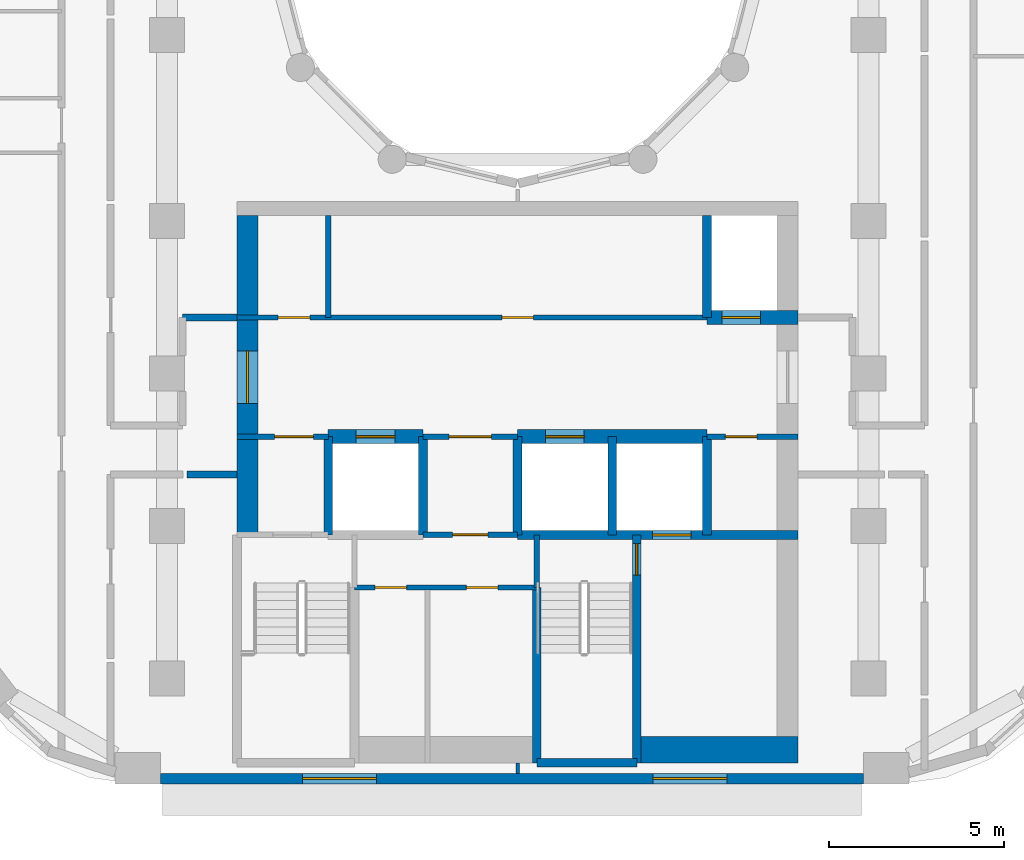
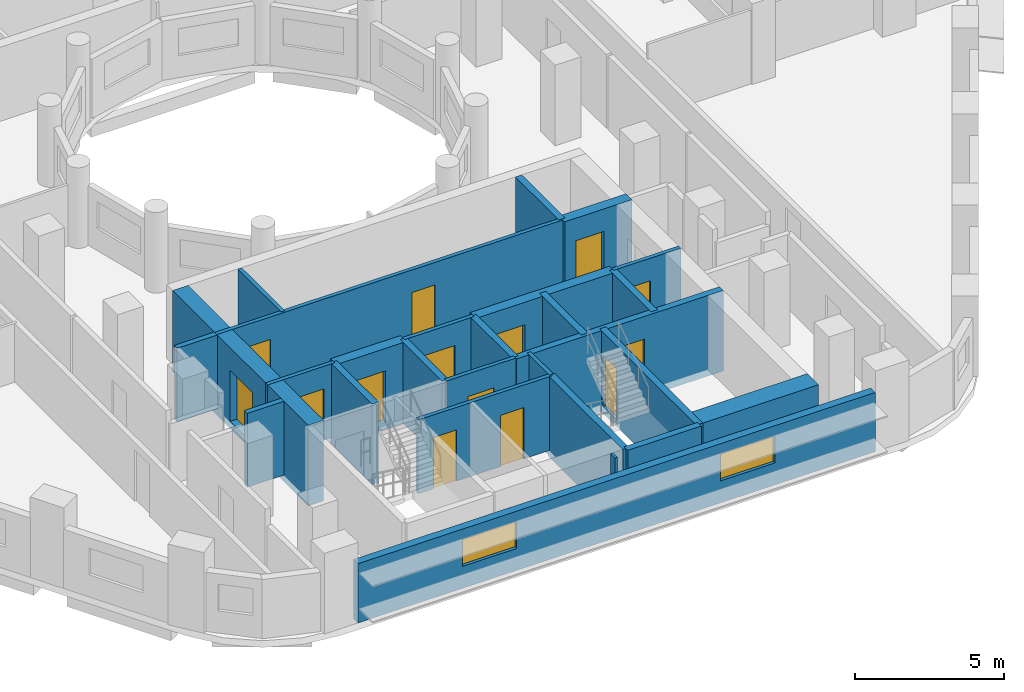
# One storey, part 3 of 13: 27 walls, 14 doors, 2 windows, 16 openings.
"""IFC4 building model written with IfcOpenShell, lengths in metres."""

import ifcopenshell
import ifcopenshell.guid

model = None  # the IFC model being written
_history = None  # IfcOwnerHistory: only IFC2X3 demands one
_inside = {}  # id of a spatial element -> (the spatial element, [elements in it])
_under = {}  # id of a project, library or spatial element -> (it, [spatial elements below it])
_declared = {}  # id of a project -> (the project, [libraries it declares])
_typed = {}  # id of a type object -> (the type object, [elements of that type])
_made_of = {}  # id of a material, layer set ... -> (it, [elements and type objects made of it])


def new_model(schema):
    """Start an empty IFC model of exactly this schema.

    Asked for "IFC4X3", IfcOpenShell would pick the latest addendum, in which some entities
    have other attributes; the version numbers below select the first issue.
    IFC2X3 requires an IfcOwnerHistory on every rooted entity: one is made here for all.
    """
    global model, _history
    if schema == "IFC4X3":
        model = ifcopenshell.file(schema_version=(4, 3, 0, 0))
    else:
        model = ifcopenshell.file(schema=schema)
    _inside.clear()
    _under.clear()
    _declared.clear()
    _typed.clear()
    _made_of.clear()
    _history = None
    if model.schema == "IFC2X3":
        org = make("IfcOrganization", Name="unknown")
        user = make(
            "IfcPersonAndOrganization",
            ThePerson=make("IfcPerson", FamilyName="unknown"),
            TheOrganization=org,
        )
        app = make(
            "IfcApplication",
            ApplicationDeveloper=org,
            Version="unknown",
            ApplicationFullName="unknown",
            ApplicationIdentifier="unknown",
        )
        _history = make(
            "IfcOwnerHistory",
            OwningUser=user,
            OwningApplication=app,
            ChangeAction="ADDED",
            CreationDate=0,
        )
    return model


def make(cls, **values):
    """One entity of the class cls with the attributes given. An attribute that is None is left unset."""
    return model.create_entity(
        cls, **{name: value for name, value in values.items() if value is not None}
    )


def rooted(cls, **values):
    """An entity with a GlobalId (a new one), such as an element, a storey or a relation."""
    return make(cls, GlobalId=ifcopenshell.guid.new(), OwnerHistory=_history, **values)


def si_unit(unit_type, name, prefix=None):
    """IfcSIUnit, for example si_unit("LENGTHUNIT", "METRE", prefix="MILLI")."""
    return make("IfcSIUnit", UnitType=unit_type, Prefix=prefix, Name=name)


def assignment(units):
    """IfcUnitAssignment: the units of a project."""
    return None if units is None else make("IfcUnitAssignment", Units=units)


def point(xyz):
    """IfcCartesianPoint."""
    return None if xyz is None else make("IfcCartesianPoint", Coordinates=xyz)


def direction(xyz):
    """IfcDirection."""
    return None if xyz is None else make("IfcDirection", DirectionRatios=xyz)


def frame(location, z_axis=None, x_axis=None):
    """IfcAxis2Placement3D, a coordinate frame: its origin and axes. An axis left out is left unset."""
    return make(
        "IfcAxis2Placement3D",
        Location=point(location),
        Axis=direction(z_axis),
        RefDirection=direction(x_axis),
    )


def frame_2d(location, x_axis=None):
    """IfcAxis2Placement2D, a coordinate frame in the plane: its origin and x axis."""
    return make(
        "IfcAxis2Placement2D", Location=point(location), RefDirection=direction(x_axis)
    )


def origin():
    """The frame at (0, 0, 0) with its axes left unset."""
    return frame((0.0, 0.0, 0.0))


def place(relative_to, where):
    """IfcLocalPlacement: puts the frame where relative to a parent placement (None: the world)."""
    return make(
        "IfcLocalPlacement", PlacementRelTo=relative_to, RelativePlacement=where
    )


def context(
    kind, dimensions, precision=None, world=None, true_north=None, identifier=None
):
    """IfcGeometricRepresentationContext, for example the 3D "Model" context."""
    return make(
        "IfcGeometricRepresentationContext",
        ContextIdentifier=identifier,
        ContextType=kind,
        CoordinateSpaceDimension=dimensions,
        Precision=precision,
        WorldCoordinateSystem=world,
        TrueNorth=true_north,
    )


def subcontext(parent, identifier, kind, view, scale=None):
    """IfcGeometricRepresentationSubContext, for example "Body" below "Model"."""
    return make(
        "IfcGeometricRepresentationSubContext",
        ContextIdentifier=identifier,
        ContextType=kind,
        ParentContext=parent,
        TargetScale=scale,
        TargetView=view,
    )


def project(units=None, contexts=None):
    """IfcProject with its units and contexts."""
    return rooted(
        "IfcProject",
        Name="project",
        RepresentationContexts=contexts,
        UnitsInContext=assignment(units),
    )


def spatial(cls, under=None, at=None, **own):
    """A site, building, storey or space (cls), placed at a placement, below another one or the project."""
    s = rooted(cls, ObjectPlacement=at, **own)
    if under is not None:
        _under.setdefault(under.id(), (under, []))[1].append(s)
    return s


def profile(cls, at=None, kind="AREA", **sizes):
    """A parametric profile (cls). Its sizes go by their IFC names, for example OverallWidth=200.0."""
    return make(cls, ProfileType=kind, Position=at, **sizes)


def rectangle(**sizes):
    """IfcRectangleProfileDef."""
    return profile("IfcRectangleProfileDef", **sizes)


def extrude(swept, where, along, depth):
    """IfcExtrudedAreaSolid: the profile swept, set in the frame where, extruded along a direction by depth."""
    return make(
        "IfcExtrudedAreaSolid",
        SweptArea=swept,
        Position=where,
        ExtrudedDirection=direction(along),
        Depth=depth,
    )


def shape(context_of_items, identifier, shape_type, items):
    """IfcShapeRepresentation: the items that make up one representation, for example the "Body"."""
    return make(
        "IfcShapeRepresentation",
        ContextOfItems=context_of_items,
        RepresentationIdentifier=identifier,
        RepresentationType=shape_type,
        Items=items,
    )


def material(Name=None, Category=None):
    """IfcMaterial."""
    return make("IfcMaterial", Name=Name, Category=Category)


def layer(
    of_material, thickness, ventilated=None, Name=None, Category=None, Priority=None
):
    """IfcMaterialLayer: one layer of a wall or slab, of a material (None: an air gap)."""
    return make(
        "IfcMaterialLayer",
        Material=of_material,
        LayerThickness=thickness,
        IsVentilated=ventilated,
        Name=Name,
        Category=Category,
        Priority=Priority,
    )


def layer_set(layers, Name=None):
    """IfcMaterialLayerSet."""
    return make("IfcMaterialLayerSet", MaterialLayers=layers, LayerSetName=Name)


def made_of(thing, what):
    """Note that an element or type object is made of a material, layer set ...; save() writes the relation."""
    if what is not None:
        _made_of.setdefault(what.id(), (what, []))[1].append(thing)
    return thing


def type_object(cls, material=None, **own):
    """A type object (cls), such as IfcWallType, which elements share."""
    return made_of(rooted(cls, **own), material)


def element(
    cls,
    number,
    at=None,
    inside=None,
    cuts=None,
    type_object=None,
    material=None,
    context=None,
    identifier="Body",
    shape_type=None,
    held_by="IfcProductDefinitionShape",
    body=None,
    shapes=None,
    **own,
):
    """One element of the class cls, such as IfcWall. Its Tag is "e" and its number.

    at: its placement. inside: the storey or other place that contains it. cuts: it is an
    opening in that element (IfcRelVoidsElement). A single representation is given by context,
    identifier, shape_type and body (its items); several are given by shapes. held_by: the class
    of the entity that holds the representations. save() writes the other relations.
    """
    e = rooted(cls, Tag="e%d" % number, ObjectPlacement=at, **own)
    if body is not None:
        shapes = [shape(context, identifier, shape_type, body)]
    if shapes is not None:
        e.Representation = make(held_by, Representations=shapes)
    if inside is not None:
        _inside.setdefault(inside.id(), (inside, []))[1].append(e)
    if cuts is not None:
        rooted(
            "IfcRelVoidsElement", RelatingBuildingElement=cuts, RelatedOpeningElement=e
        )
    if type_object is not None:
        _typed.setdefault(type_object.id(), (type_object, []))[1].append(e)
    return made_of(e, material)


def fill(opening, filler):
    """IfcRelFillsElement: the door or window that sits in an opening."""
    return rooted(
        "IfcRelFillsElement",
        RelatingOpeningElement=opening,
        RelatedBuildingElement=filler,
    )


def aggregate(whole, parts):
    """IfcRelAggregates: a whole, such as a stair, and the parts it consists of."""
    return rooted("IfcRelAggregates", RelatingObject=whole, RelatedObjects=parts)


def save(model, path):
    """Write the relations noted so far, then the file.

    IfcRelAggregates (storeys below a building ...), IfcRelContainedInSpatialStructure (elements
    in a storey), IfcRelDefinesByType, IfcRelAssociatesMaterial and IfcRelDeclares: one each for
    every whole, place, type object, material and project.
    """
    for whole, parts in _under.values():
        aggregate(whole, parts)
    for where, things in _inside.values():
        rooted(
            "IfcRelContainedInSpatialStructure",
            RelatedElements=things,
            RelatingStructure=where,
        )
    for kind, things in _typed.values():
        rooted("IfcRelDefinesByType", RelatedObjects=things, RelatingType=kind)
    for what, things in _made_of.values():
        rooted("IfcRelAssociatesMaterial", RelatedObjects=things, RelatingMaterial=what)
    for by, libraries in _declared.values():
        rooted("IfcRelDeclares", RelatingContext=by, RelatedDefinitions=libraries)
    model.write(path)


model = new_model("IFC4")

# Units and contexts
model_context = context("Model", 3, precision=1e-05, world=origin(), true_north=direction((0.0, 1.0)))
body_context = subcontext(model_context, "Body", "Model", "MODEL_VIEW")
ifc_project = project(units=[si_unit("LENGTHUNIT", "METRE"), si_unit("AREAUNIT", "SQUARE_METRE"), si_unit("VOLUMEUNIT", "CUBIC_METRE"), si_unit("PLANEANGLEUNIT", "RADIAN"), si_unit("MASSUNIT", "GRAM", prefix="KILO")], contexts=[model_context])

# Site, building, storey
site_placement = place(None, origin())
site = spatial("IfcSite", under=ifc_project, at=site_placement, CompositionType="ELEMENT")
building_placement = place(site_placement, origin())
building = spatial("IfcBuilding", under=site, at=building_placement, Name="Nakaniwa Court", CompositionType="ELEMENT")
storey_placement = place(building_placement, frame((0.0, 0.0, 130.5)))
storey = spatial("IfcBuildingStorey", under=building, at=storey_placement, Name="L33", CompositionType="ELEMENT", Elevation=130.5)

# Walls
ifc_material_1 = material(Name="Acoustic double stud partition")
ifc_layer_1 = layer(ifc_material_1, 0.199951171875)
ifc_layer_set_1 = layer_set([ifc_layer_1], Name="Acoustic double stud partition")
wall_type_1 = type_object("IfcWallType", Name="Acoustic double stud partition 200", PredefinedType="PARTITIONING", material=ifc_layer_set_1)
wall_1_placement = place(storey_placement, frame((70.5771484375, 64.824951171875, 0.0), z_axis=(0.0, 0.0, 1.0), x_axis=(1.0, 0.0, 0.0)))
element("IfcWall", 1, at=wall_1_placement, inside=storey, type_object=wall_type_1, Name="Partition PW-074", PredefinedType="PARTITIONING", context=body_context, shape_type="SweptSolid", body=[
    extrude(rectangle(XDim=1.4228515625, YDim=0.199951171875, at=frame_2d((0.71142578125, 0.0))), origin(), (0.0, 0.0, 1.0), 3.02490234375),
])
wall_2_placement = place(storey_placement, frame((70.449951171875, 69.300048828125, 0.0), z_axis=(0.0, 0.0, 1.0), x_axis=(1.0, 0.0, 0.0)))
element("IfcWall", 2, at=wall_2_placement, inside=storey, type_object=wall_type_1, Name="Partition PW-078", PredefinedType="PARTITIONING", context=body_context, shape_type="SweptSolid", body=[
    extrude(rectangle(XDim=1.550048828125, YDim=0.199951171875, at=frame_2d((0.77490234375, 0.0))), origin(), (0.0, 0.0, 1.0), 3.02490234375),
])

# Wall, openings, windows
ifc_material_2 = material(Name="Charcoal ceramic cladding")
ifc_layer_2 = layer(ifc_material_2, 0.02, Name="Ceramic cladding")
ifc_material_3 = material(Name="Ventilated air cavity")
ifc_layer_3 = layer(ifc_material_3, 0.04, ventilated=True, Name="Ventilated cavity")
ifc_material_4 = material(Name="Mineral wool insulation")
ifc_layer_4 = layer(ifc_material_4, 0.1, Name="Insulation")
ifc_material_5 = material(Name="Cement bonded sheathing board")
ifc_layer_5 = layer(ifc_material_5, 0.012, Name="Sheathing")
ifc_material_6 = material(Name="Cold-formed galvanised stud frame with mineral wool infill")
ifc_layer_6 = layer(ifc_material_6, 0.1, Name="Stud frame")
ifc_material_7 = material(Name="Fire-rated gypsum plasterboard lining")
ifc_layer_7 = layer(ifc_material_7, 0.028, Name="Lining")
ifc_layer_set_2 = layer_set([ifc_layer_2, ifc_layer_3, ifc_layer_4, ifc_layer_5, ifc_layer_6, ifc_layer_7], Name="Charcoal ceramic faced external wall system")
wall_type_2 = type_object("IfcWallType", Name="Black ceramic faced external wall 300", PredefinedType="SOLIDWALL", material=ifc_layer_set_2)
wall_3_placement = place(storey_placement, frame((69.8212890625, 56.14990234375, 0.0), z_axis=(0.0, 0.0, 1.0), x_axis=(1.0, 0.0, 0.0)))
wall_3 = element("IfcWall", 3, at=wall_3_placement, inside=storey, type_object=wall_type_2, Name="L33 external wall 26", PredefinedType="SOLIDWALL", context=body_context, shape_type="SweptSolid", body=[
    extrude(rectangle(XDim=20.039794921875, YDim=0.300048828125, at=frame_2d((10.02001953125, 0.0))), origin(), (0.0, 0.0, 1.0), 2.425048828125),
])
opening_1_placement = place(wall_3_placement, frame((4.05126953125, 0.0, 0.89990234375)))
opening_1 = element("IfcOpeningElement", 4, at=opening_1_placement, cuts=wall_3, Name="Opening W7.27", PredefinedType="OPENING", context=body_context, shape_type="SweptSolid", body=[
    extrude(rectangle(XDim=2.10009765625, YDim=1.10009765625, at=frame_2d((1.050048828125, 0.550048828125))), frame((0.0, 0.159912109375, 0.0), z_axis=(0.0, -1.0, 0.0), x_axis=(1.0, 0.0, 0.0)), (0.0, 0.0, 1.0), 0.320068359375),
])
opening_2_placement = place(wall_3_placement, frame((14.047119140625, 0.0, 0.89990234375)))
opening_2 = element("IfcOpeningElement", 5, at=opening_2_placement, cuts=wall_3, Name="Opening W7.28", PredefinedType="OPENING", context=body_context, shape_type="SweptSolid", body=[
    extrude(rectangle(XDim=2.10009765625, YDim=1.10009765625, at=frame_2d((1.050048828125, 0.550048828125))), frame((0.0, 0.159912109375, 0.0), z_axis=(0.0, -1.0, 0.0), x_axis=(1.0, 0.0, 0.0)), (0.0, 0.0, 1.0), 0.320068359375),
])
ifc_material_8 = material(Name="Black anodised aluminium frame with dark low-E laminated double glazing", Category="aluminium")
window_type = type_object("IfcWindowType", Name="Dark glass window 2100x1100 sill 900", PartitioningType="SINGLE_PANEL", PredefinedType="WINDOW", material=ifc_material_8)
window_1_placement = place(opening_1_placement, origin())
window_1 = element("IfcWindow", 6, at=window_1_placement, inside=storey, type_object=window_type, Name="L33 habitable room window 26-0", OverallHeight=1.10009765625, OverallWidth=2.10009765625, PartitioningType="SINGLE_PANEL", PredefinedType="WINDOW", context=body_context, shape_type="SweptSolid", body=[
    extrude(rectangle(XDim=2.10009765625, YDim=1.10009765625, at=frame_2d((1.050048828125, 0.550048828125))), frame((0.0, 0.030029296875, 0.0), z_axis=(0.0, -1.0, 0.0), x_axis=(1.0, 0.0, 0.0)), (0.0, 0.0, 1.0), 0.06005859375),
])
fill(opening_1, window_1)
window_2_placement = place(opening_2_placement, origin())
window_2 = element("IfcWindow", 7, at=window_2_placement, inside=storey, type_object=window_type, Name="L33 habitable room window 26-1", OverallHeight=1.10009765625, OverallWidth=2.10009765625, PartitioningType="SINGLE_PANEL", PredefinedType="WINDOW", context=body_context, shape_type="SweptSolid", body=[
    extrude(rectangle(XDim=2.10009765625, YDim=1.10009765625, at=frame_2d((1.050048828125, 0.550048828125))), frame((0.0, 0.030029296875, 0.0), z_axis=(0.0, -1.0, 0.0), x_axis=(1.0, 0.0, 0.0)), (0.0, 0.0, 1.0), 0.06005859375),
])
fill(opening_2, window_2)

# Wall
ifc_material_9 = material(Name="Blockwork partition", Category="masonry")
ifc_layer_8 = layer(ifc_material_9, 0.14990234375)
ifc_layer_set_3 = layer_set([ifc_layer_8], Name="Blockwork partition")
wall_type_3 = type_object("IfcWallType", Name="Blockwork partition 150", PredefinedType="PARTITIONING", material=ifc_layer_set_3)
wall_4_placement = place(storey_placement, frame((74.60009765625, 69.300048828125, 0.0), z_axis=(0.0, 0.0, 1.0), x_axis=(0.0, 1.0, 0.0)))
element("IfcWall", 8, at=wall_4_placement, inside=storey, type_object=wall_type_3, Name="Partition PW-033", PredefinedType="PARTITIONING", context=body_context, shape_type="SweptSolid", body=[
    extrude(rectangle(XDim=2.89990234375, YDim=0.14990234375, at=frame_2d((1.449951171875, 0.0))), origin(), (0.0, 0.0, 1.0), 3.02490234375),
])

# Wall, openings, doors
wall_5_placement = place(storey_placement, frame((72.0, 69.300048828125, 0.0), z_axis=(0.0, 0.0, 1.0), x_axis=(1.0, 0.0, 0.0)))
wall_5 = element("IfcWall", 9, at=wall_5_placement, inside=storey, type_object=wall_type_3, Name="Partition PW-034", PredefinedType="PARTITIONING", context=body_context, shape_type="SweptSolid", body=[
    extrude(rectangle(XDim=13.39990234375, YDim=0.14990234375, at=frame_2d((6.699951171875, 0.0))), origin(), (0.0, 0.0, 1.0), 3.02490234375),
])
opening_3_placement = place(wall_5_placement, frame((1.175048828125, 0.0, 0.0)))
opening_3 = element("IfcOpeningElement", 10, at=opening_3_placement, cuts=wall_5, Name="Opening D-05-06", PredefinedType="OPENING", context=body_context, shape_type="SweptSolid", body=[
    extrude(rectangle(XDim=0.89990234375, YDim=2.10009765625, at=frame_2d((0.449951171875, 1.050048828125))), frame((0.0, 0.0849609375, 0.0), z_axis=(0.0, -1.0, 0.0), x_axis=(1.0, 0.0, 0.0)), (0.0, 0.0, 1.0), 0.169921875),
])
opening_4_placement = place(wall_5_placement, frame((7.550048828125, 0.0, 0.0)))
opening_4 = element("IfcOpeningElement", 11, at=opening_4_placement, cuts=wall_5, Name="Opening D-05-07", PredefinedType="OPENING", context=body_context, shape_type="SweptSolid", body=[
    extrude(rectangle(XDim=0.89990234375, YDim=2.10009765625, at=frame_2d((0.449951171875, 1.050048828125))), frame((0.0, 0.0849609375, 0.0), z_axis=(0.0, -1.0, 0.0), x_axis=(1.0, 0.0, 0.0)), (0.0, 0.0, 1.0), 0.169921875),
])
ifc_material_10 = material(Name="Fire rated steel door set", Category="steel")
door_type_1 = type_object("IfcDoorType", Name="Service room door 900", OperationType="NOTDEFINED", PredefinedType="DOOR", material=ifc_material_10)
door_1_placement = place(opening_3_placement, origin())
door_1 = element("IfcDoor", 12, at=door_1_placement, inside=storey, type_object=door_type_1, Name="Door D-05-06 L33-011", OperationType="SINGLE_SWING_RIGHT", OverallHeight=2.10009765625, OverallWidth=0.89990234375, PredefinedType="DOOR", context=body_context, shape_type="SweptSolid", body=[
    extrude(rectangle(XDim=0.89990234375, YDim=2.10009765625, at=frame_2d((0.449951171875, 1.050048828125))), frame((0.0, 0.02490234375, 0.0), z_axis=(0.0, -1.0, 0.0), x_axis=(1.0, 0.0, 0.0)), (0.0, 0.0, 1.0), 0.050048828125),
])
fill(opening_3, door_1)
door_2_placement = place(opening_4_placement, origin())
door_2 = element("IfcDoor", 13, at=door_2_placement, inside=storey, type_object=door_type_1, Name="Door D-05-07 L33-012", OperationType="SINGLE_SWING_LEFT", OverallHeight=2.10009765625, OverallWidth=0.89990234375, PredefinedType="DOOR", context=body_context, shape_type="SweptSolid", body=[
    extrude(rectangle(XDim=0.89990234375, YDim=2.10009765625, at=frame_2d((0.449951171875, 1.050048828125))), frame((0.0, 0.02490234375, 0.0), z_axis=(0.0, -1.0, 0.0), x_axis=(1.0, 0.0, 0.0)), (0.0, 0.0, 1.0), 0.050048828125),
])
fill(opening_4, door_2)

# Wall, opening, door
wall_6_placement = place(storey_placement, frame((74.60302734375, 65.89990234375, 0.0), z_axis=(0.0, 0.0, 1.0), x_axis=(-1.0, 0.0, 0.0)))
wall_6 = element("IfcWall", 14, at=wall_6_placement, inside=storey, type_object=wall_type_3, Name="Partition PW-040", PredefinedType="PARTITIONING", context=body_context, shape_type="SweptSolid", body=[
    extrude(rectangle(XDim=2.60302734375, YDim=0.14990234375, at=frame_2d((1.301513671875, 0.0))), origin(), (0.0, 0.0, 1.0), 3.02490234375),
])
opening_5_placement = place(wall_6_placement, frame((0.427978515625, 0.0, 0.0)))
opening_5 = element("IfcOpeningElement", 15, at=opening_5_placement, cuts=wall_6, Name="Opening D-08-02", PredefinedType="OPENING", context=body_context, shape_type="SweptSolid", body=[
    extrude(rectangle(XDim=1.10009765625, YDim=2.10009765625, at=frame_2d((0.550048828125, 1.050048828125))), frame((0.0, 0.0849609375, 0.0), z_axis=(0.0, -1.0, 0.0), x_axis=(1.0, 0.0, 0.0)), (0.0, 0.0, 1.0), 0.169921875),
])
door_type_2 = type_object("IfcDoorType", Name="Stair lobby door 1100", OperationType="NOTDEFINED", PredefinedType="DOOR", material=ifc_material_10)
door_3_placement = place(opening_5_placement, origin())
door_3 = element("IfcDoor", 16, at=door_3_placement, inside=storey, type_object=door_type_2, Name="Door D-08-02 L33-013", OperationType="SINGLE_SWING_RIGHT", OverallHeight=2.10009765625, OverallWidth=1.10009765625, PredefinedType="DOOR", context=body_context, shape_type="SweptSolid", body=[
    extrude(rectangle(XDim=1.10009765625, YDim=2.10009765625, at=frame_2d((0.550048828125, 1.050048828125))), frame((0.0, 0.02490234375, 0.0), z_axis=(0.0, -1.0, 0.0), x_axis=(1.0, 0.0, 0.0)), (0.0, 0.0, 1.0), 0.050048828125),
])
fill(opening_5, door_3)

wall_7_placement = place(storey_placement, frame((80.0029296875, 65.89990234375, 0.0), z_axis=(0.0, 0.0, 1.0), x_axis=(-1.0, 0.0, 0.0)))
wall_7 = element("IfcWall", 17, at=wall_7_placement, inside=storey, type_object=wall_type_3, Name="Partition PW-041", PredefinedType="PARTITIONING", context=body_context, shape_type="SweptSolid", body=[
    extrude(rectangle(XDim=2.705810546875, YDim=0.14990234375, at=frame_2d((1.35302734375, 0.0))), origin(), (0.0, 0.0, 1.0), 3.02490234375),
])
opening_6_placement = place(wall_7_placement, frame((0.7529296875, 0.0, 0.0)))
opening_6 = element("IfcOpeningElement", 18, at=opening_6_placement, cuts=wall_7, Name="Opening D-06-02", PredefinedType="OPENING", context=body_context, shape_type="SweptSolid", body=[
    extrude(rectangle(XDim=1.199951171875, YDim=2.10009765625, at=frame_2d((0.60009765625, 1.050048828125))), frame((0.0, 0.0849609375, 0.0), z_axis=(0.0, -1.0, 0.0), x_axis=(1.0, 0.0, 0.0)), (0.0, 0.0, 1.0), 0.169921875),
])
ifc_material_11 = material(Name="Fire rated steel double door set", Category="steel")
door_type_3 = type_object("IfcDoorType", Name="Service passage double door 1200", OperationType="NOTDEFINED", PredefinedType="DOOR", material=ifc_material_11)
door_4_placement = place(opening_6_placement, origin())
door_4 = element("IfcDoor", 19, at=door_4_placement, inside=storey, type_object=door_type_3, Name="Door D-06-02 L33-014", OperationType="DOUBLE_DOOR_SINGLE_SWING", OverallHeight=2.10009765625, OverallWidth=1.199951171875, PredefinedType="DOOR", context=body_context, shape_type="SweptSolid", body=[
    extrude(rectangle(XDim=1.199951171875, YDim=2.10009765625, at=frame_2d((0.60009765625, 1.050048828125))), frame((0.0, 0.02490234375, 0.0), z_axis=(0.0, -1.0, 0.0), x_axis=(1.0, 0.0, 0.0)), (0.0, 0.0, 1.0), 0.050048828125),
])
fill(opening_6, door_4)

wall_8_placement = place(storey_placement, frame((88.0, 65.89990234375, 0.0), z_axis=(0.0, 0.0, 1.0), x_axis=(-1.0, 0.0, 0.0)))
wall_8 = element("IfcWall", 20, at=wall_8_placement, inside=storey, type_object=wall_type_3, Name="Partition PW-042", PredefinedType="PARTITIONING", context=body_context, shape_type="SweptSolid", body=[
    extrude(rectangle(XDim=2.60302734375, YDim=0.14990234375, at=frame_2d((1.301513671875, 0.0))), origin(), (0.0, 0.0, 1.0), 3.02490234375),
])
opening_7_placement = place(wall_8_placement, frame((1.175048828125, 0.0, 0.0)))
opening_7 = element("IfcOpeningElement", 21, at=opening_7_placement, cuts=wall_8, Name="Opening D-05-08", PredefinedType="OPENING", context=body_context, shape_type="SweptSolid", body=[
    extrude(rectangle(XDim=0.89990234375, YDim=2.10009765625, at=frame_2d((0.449951171875, 1.050048828125))), frame((0.0, 0.0849609375, 0.0), z_axis=(0.0, -1.0, 0.0), x_axis=(1.0, 0.0, 0.0)), (0.0, 0.0, 1.0), 0.169921875),
])
door_5_placement = place(opening_7_placement, origin())
door_5 = element("IfcDoor", 22, at=door_5_placement, inside=storey, type_object=door_type_1, Name="Door D-05-08 L33-015", OperationType="SINGLE_SWING_RIGHT", OverallHeight=2.10009765625, OverallWidth=0.89990234375, PredefinedType="DOOR", context=body_context, shape_type="SweptSolid", body=[
    extrude(rectangle(XDim=0.89990234375, YDim=2.10009765625, at=frame_2d((0.449951171875, 1.050048828125))), frame((0.0, 0.02490234375, 0.0), z_axis=(0.0, -1.0, 0.0), x_axis=(1.0, 0.0, 0.0)), (0.0, 0.0, 1.0), 0.050048828125),
])
fill(opening_7, door_5)

wall_9_placement = place(storey_placement, frame((80.0, 63.10009765625, 0.0), z_axis=(0.0, 0.0, 1.0), x_axis=(-1.0, 0.0, 0.0)))
wall_9 = element("IfcWall", 23, at=wall_9_placement, inside=storey, type_object=wall_type_3, Name="Partition PW-051", PredefinedType="PARTITIONING", context=body_context, shape_type="SweptSolid", body=[
    extrude(rectangle(XDim=2.699951171875, YDim=0.14990234375, at=frame_2d((1.35009765625, 0.0))), origin(), (0.0, 0.0, 1.0), 3.02490234375),
])
opening_8_placement = place(wall_9_placement, frame((0.85009765625, 0.0, 0.0)))
opening_8 = element("IfcOpeningElement", 24, at=opening_8_placement, cuts=wall_9, Name="Opening D-23-02", PredefinedType="OPENING", context=body_context, shape_type="SweptSolid", body=[
    extrude(rectangle(XDim=1.0, YDim=2.10009765625, at=frame_2d((0.5, 1.050048828125))), frame((0.0, 0.0849609375, 0.0), z_axis=(0.0, -1.0, 0.0), x_axis=(1.0, 0.0, 0.0)), (0.0, 0.0, 1.0), 0.169921875),
])
door_type_4 = type_object("IfcDoorType", Name="Service room door 1000", OperationType="NOTDEFINED", PredefinedType="DOOR", material=ifc_material_10)
door_6_placement = place(opening_8_placement, origin())
door_6 = element("IfcDoor", 25, at=door_6_placement, inside=storey, type_object=door_type_4, Name="Door D-23-02 L33-016", OperationType="SINGLE_SWING_LEFT", OverallHeight=2.10009765625, OverallWidth=1.0, PredefinedType="DOOR", context=body_context, shape_type="SweptSolid", body=[
    extrude(rectangle(XDim=1.0, YDim=2.10009765625, at=frame_2d((0.5, 1.050048828125))), frame((0.0, 0.02490234375, 0.0), z_axis=(0.0, -1.0, 0.0), x_axis=(1.0, 0.0, 0.0)), (0.0, 0.0, 1.0), 0.050048828125),
])
fill(opening_8, door_6)

# Wall, openings, doors
wall_10_placement = place(storey_placement, frame((80.550048828125, 61.60009765625, 0.0), z_axis=(0.0, 0.0, 1.0), x_axis=(-1.0, 0.0, 0.0)))
wall_10 = element("IfcWall", 26, at=wall_10_placement, inside=storey, type_object=wall_type_3, Name="Partition PW-063", PredefinedType="PARTITIONING", context=body_context, shape_type="SweptSolid", body=[
    extrude(rectangle(XDim=5.199951171875, YDim=0.14990234375, at=frame_2d((2.60009765625, 0.0))), origin(), (0.0, 0.0, 1.0), 3.02490234375),
])
opening_9_placement = place(wall_10_placement, frame((3.7099609375, 0.0, 0.0)))
opening_9 = element("IfcOpeningElement", 27, at=opening_9_placement, cuts=wall_10, Name="Opening D-05-09", PredefinedType="OPENING", context=body_context, shape_type="SweptSolid", body=[
    extrude(rectangle(XDim=0.89990234375, YDim=2.10009765625, at=frame_2d((0.449951171875, 1.050048828125))), frame((0.0, 0.0849609375, 0.0), z_axis=(0.0, -1.0, 0.0), x_axis=(1.0, 0.0, 0.0)), (0.0, 0.0, 1.0), 0.169921875),
])
opening_10_placement = place(wall_10_placement, frame((1.110107421875, 0.0, 0.0)))
opening_10 = element("IfcOpeningElement", 28, at=opening_10_placement, cuts=wall_10, Name="Opening D-05-10", PredefinedType="OPENING", context=body_context, shape_type="SweptSolid", body=[
    extrude(rectangle(XDim=0.89990234375, YDim=2.10009765625, at=frame_2d((0.449951171875, 1.050048828125))), frame((0.0, 0.0849609375, 0.0), z_axis=(0.0, -1.0, 0.0), x_axis=(1.0, 0.0, 0.0)), (0.0, 0.0, 1.0), 0.169921875),
])
door_7_placement = place(opening_9_placement, origin())
door_7 = element("IfcDoor", 29, at=door_7_placement, inside=storey, type_object=door_type_1, Name="Door D-05-09 L33-017", OperationType="SINGLE_SWING_RIGHT", OverallHeight=2.10009765625, OverallWidth=0.89990234375, PredefinedType="DOOR", context=body_context, shape_type="SweptSolid", body=[
    extrude(rectangle(XDim=0.89990234375, YDim=2.10009765625, at=frame_2d((0.449951171875, 1.050048828125))), frame((0.0, 0.02490234375, 0.0), z_axis=(0.0, -1.0, 0.0), x_axis=(1.0, 0.0, 0.0)), (0.0, 0.0, 1.0), 0.050048828125),
])
fill(opening_9, door_7)
door_8_placement = place(opening_10_placement, origin())
door_8 = element("IfcDoor", 30, at=door_8_placement, inside=storey, type_object=door_type_1, Name="Door D-05-10 L33-018", OperationType="SINGLE_SWING_LEFT", OverallHeight=2.10009765625, OverallWidth=0.89990234375, PredefinedType="DOOR", context=body_context, shape_type="SweptSolid", body=[
    extrude(rectangle(XDim=0.89990234375, YDim=2.10009765625, at=frame_2d((0.449951171875, 1.050048828125))), frame((0.0, 0.02490234375, 0.0), z_axis=(0.0, -1.0, 0.0), x_axis=(1.0, 0.0, 0.0)), (0.0, 0.0, 1.0), 0.050048828125),
])
fill(opening_10, door_8)

# Wall, opening, door
ifc_material_12 = material(Name="Concrete C80/100", Category="concrete")
ifc_layer_9 = layer(ifc_material_12, 0.60009765625)
ifc_layer_set_4 = layer_set([ifc_layer_9], Name="Concrete C80/100")
wall_type_4 = type_object("IfcWallType", Name="Concrete core side wall 600 C80", PredefinedType="SHEAR", material=ifc_layer_set_4)
wall_11_placement = place(storey_placement, frame((72.300048828125, 63.10009765625, -0.27490234375), z_axis=(0.0, 0.0, 1.0), x_axis=(0.0, 1.0, 0.0)))
wall_11 = element("IfcWall", 31, at=wall_11_placement, inside=storey, type_object=wall_type_4, Name="Core wall SW-35", PredefinedType="SHEAR", context=body_context, shape_type="SweptSolid", body=[
    extrude(rectangle(XDim=9.099853515625, YDim=0.60009765625, at=frame_2d((4.5498046875, 0.0))), origin(), (0.0, 0.0, 1.0), 3.2998046875),
])
opening_11_placement = place(wall_11_placement, frame((3.748046875, 0.0, 0.27490234375)))
opening_11 = element("IfcOpeningElement", 32, at=opening_11_placement, cuts=wall_11, Name="Opening D-07-04", PredefinedType="OPENING", context=body_context, shape_type="SweptSolid", body=[
    extrude(rectangle(XDim=1.5, YDim=2.10009765625, at=frame_2d((0.75, 1.050048828125))), frame((0.0, 0.31005859375, 0.0), z_axis=(0.0, -1.0, 0.0), x_axis=(1.0, 0.0, 0.0)), (0.0, 0.0, 1.0), 0.6201171875),
])
ifc_material_13 = material(Name="Glazed fire rated steel double door set", Category="steel")
door_type_5 = type_object("IfcDoorType", Name="Lobby double door 1500", OperationType="NOTDEFINED", PredefinedType="DOOR", material=ifc_material_13)
door_9_placement = place(opening_11_placement, origin())
door_9 = element("IfcDoor", 33, at=door_9_placement, inside=storey, type_object=door_type_5, Name="Door D-07-04 L33-046", OperationType="DOUBLE_DOOR_SINGLE_SWING", OverallHeight=2.10009765625, OverallWidth=1.5, PredefinedType="DOOR", context=body_context, shape_type="SweptSolid", body=[
    extrude(rectangle(XDim=1.5, YDim=2.10009765625, at=frame_2d((0.75, 1.050048828125))), frame((0.0, 0.02490234375, 0.0), z_axis=(0.0, -1.0, 0.0), x_axis=(1.0, 0.0, 0.0)), (0.0, 0.0, 1.0), 0.050048828125),
])
fill(opening_11, door_9)

ifc_layer_10 = layer(ifc_material_12, 0.39990234375)
ifc_layer_set_5 = layer_set([ifc_layer_10], Name="Concrete C80/100")
wall_type_5 = type_object("IfcWallType", Name="Concrete core spine wall 400 C80", PredefinedType="SHEAR", material=ifc_layer_set_5)
wall_12_placement = place(storey_placement, frame((85.39990234375, 69.300048828125, -0.27490234375), z_axis=(0.0, 0.0, 1.0), x_axis=(1.0, 0.0, 0.0)))
wall_12 = element("IfcWall", 34, at=wall_12_placement, inside=storey, type_object=wall_type_5, Name="Core wall SW-38", PredefinedType="SHEAR", context=body_context, shape_type="SweptSolid", body=[
    extrude(rectangle(XDim=2.60009765625, YDim=0.39990234375, at=frame_2d((1.300048828125, 0.0))), origin(), (0.0, 0.0, 1.0), 3.2998046875),
])
opening_12_placement = place(wall_12_placement, frame((0.425048828125, 0.0, 0.27490234375)))
opening_12 = element("IfcOpeningElement", 35, at=opening_12_placement, cuts=wall_12, Name="Opening LD05", PredefinedType="OPENING", context=body_context, shape_type="SweptSolid", body=[
    extrude(rectangle(XDim=1.10009765625, YDim=2.10009765625, at=frame_2d((0.550048828125, 1.050048828125))), frame((0.0, 0.2099609375, 0.0), z_axis=(0.0, -1.0, 0.0), x_axis=(1.0, 0.0, 0.0)), (0.0, 0.0, 1.0), 0.419921875),
])
ifc_material_14 = material(Name="Stainless steel sliding lift landing door", Category="steel")
door_type_6 = type_object("IfcDoorType", Name="Lift landing door 1100", OperationType="NOTDEFINED", PredefinedType="DOOR", material=ifc_material_14)
door_10_placement = place(opening_12_placement, origin())
door_10 = element("IfcDoor", 36, at=door_10_placement, inside=storey, type_object=door_type_6, Name="Lift landing door LD05 L33-005", OperationType="SLIDING_TO_LEFT", OverallHeight=2.10009765625, OverallWidth=1.10009765625, PredefinedType="DOOR", context=body_context, shape_type="SweptSolid", body=[
    extrude(rectangle(XDim=1.10009765625, YDim=2.10009765625, at=frame_2d((0.550048828125, 1.050048828125))), frame((0.0, 0.02490234375, 0.0), z_axis=(0.0, -1.0, 0.0), x_axis=(1.0, 0.0, 0.0)), (0.0, 0.0, 1.0), 0.050048828125),
])
fill(opening_12, door_10)

wall_13_placement = place(storey_placement, frame((74.596923828125, 65.89990234375, -0.27490234375), z_axis=(0.0, 0.0, 1.0), x_axis=(1.0, 0.0, 0.0)))
wall_13 = element("IfcWall", 37, at=wall_13_placement, inside=storey, type_object=wall_type_5, Name="Core wall SW-43", PredefinedType="SHEAR", context=body_context, shape_type="SweptSolid", body=[
    extrude(rectangle(XDim=2.7060546875, YDim=0.39990234375, at=frame_2d((1.35302734375, 0.0))), origin(), (0.0, 0.0, 1.0), 3.2998046875),
])
opening_13_placement = place(wall_13_placement, frame((0.802978515625, 0.0, 0.27490234375)))
opening_13 = element("IfcOpeningElement", 38, at=opening_13_placement, cuts=wall_13, Name="Opening LD06", PredefinedType="OPENING", context=body_context, shape_type="SweptSolid", body=[
    extrude(rectangle(XDim=1.10009765625, YDim=2.10009765625, at=frame_2d((0.550048828125, 1.050048828125))), frame((0.0, 0.2099609375, 0.0), z_axis=(0.0, -1.0, 0.0), x_axis=(1.0, 0.0, 0.0)), (0.0, 0.0, 1.0), 0.419921875),
])
door_11_placement = place(opening_13_placement, origin())
door_11 = element("IfcDoor", 39, at=door_11_placement, inside=storey, type_object=door_type_6, Name="Lift landing door LD06 L33-006", OperationType="SLIDING_TO_LEFT", OverallHeight=2.10009765625, OverallWidth=1.10009765625, PredefinedType="DOOR", context=body_context, shape_type="SweptSolid", body=[
    extrude(rectangle(XDim=1.10009765625, YDim=2.10009765625, at=frame_2d((0.550048828125, 1.050048828125))), frame((0.0, 0.02490234375, 0.0), z_axis=(0.0, -1.0, 0.0), x_axis=(1.0, 0.0, 0.0)), (0.0, 0.0, 1.0), 0.050048828125),
])
fill(opening_13, door_11)

wall_14_placement = place(storey_placement, frame((79.9970703125, 65.89990234375, -0.27490234375), z_axis=(0.0, 0.0, 1.0), x_axis=(1.0, 0.0, 0.0)))
wall_14 = element("IfcWall", 40, at=wall_14_placement, inside=storey, type_object=wall_type_5, Name="Core wall SW-44", PredefinedType="SHEAR", context=body_context, shape_type="SweptSolid", body=[
    extrude(rectangle(XDim=5.406005859375, YDim=0.39990234375, at=frame_2d((2.703125, 0.0))), origin(), (0.0, 0.0, 1.0), 3.2998046875),
])
opening_14_placement = place(wall_14_placement, frame((0.802978515625, 0.0, 0.27490234375)))
opening_14 = element("IfcOpeningElement", 41, at=opening_14_placement, cuts=wall_14, Name="Opening LD07", PredefinedType="OPENING", context=body_context, shape_type="SweptSolid", body=[
    extrude(rectangle(XDim=1.10009765625, YDim=2.10009765625, at=frame_2d((0.550048828125, 1.050048828125))), frame((0.0, 0.2099609375, 0.0), z_axis=(0.0, -1.0, 0.0), x_axis=(1.0, 0.0, 0.0)), (0.0, 0.0, 1.0), 0.419921875),
])
door_12_placement = place(opening_14_placement, origin())
door_12 = element("IfcDoor", 42, at=door_12_placement, inside=storey, type_object=door_type_6, Name="Lift landing door LD07 L33-007", OperationType="SLIDING_TO_LEFT", OverallHeight=2.10009765625, OverallWidth=1.10009765625, PredefinedType="DOOR", context=body_context, shape_type="SweptSolid", body=[
    extrude(rectangle(XDim=1.10009765625, YDim=2.10009765625, at=frame_2d((0.550048828125, 1.050048828125))), frame((0.0, 0.02490234375, 0.0), z_axis=(0.0, -1.0, 0.0), x_axis=(1.0, 0.0, 0.0)), (0.0, 0.0, 1.0), 0.050048828125),
])
fill(opening_14, door_12)

# Walls
ifc_layer_11 = layer(ifc_material_12, 0.14990234375)
ifc_layer_set_6 = layer_set([ifc_layer_11], Name="Concrete C80/100")
wall_type_6 = type_object("IfcWallType", Name="Concrete core wall 150 C80", PredefinedType="SHEAR", material=ifc_layer_set_6)
wall_15_placement = place(storey_placement, frame((80.550048828125, 61.596923828125, -0.27490234375), z_axis=(0.0, 0.0, 1.0), x_axis=(0.0, 1.0, 0.0)))
element("IfcWall", 43, at=wall_15_placement, inside=storey, type_object=wall_type_6, Name="Core wall SW-59", PredefinedType="SHEAR", context=body_context, shape_type="SweptSolid", body=[
    extrude(rectangle(XDim=1.503173828125, YDim=0.14990234375, at=frame_2d((0.75146484375, 0.0))), origin(), (0.0, 0.0, 1.0), 3.2998046875),
])
ifc_layer_12 = layer(ifc_material_12, 0.25)
ifc_layer_set_7 = layer_set([ifc_layer_12], Name="Concrete C80/100")
wall_type_7 = type_object("IfcWallType", Name="Concrete core wall 250 C80", PredefinedType="SHEAR", material=ifc_layer_set_7)
wall_16_placement = place(storey_placement, frame((80.550048828125, 56.60009765625, -0.27490234375), z_axis=(0.0, 0.0, 1.0), x_axis=(1.0, 0.0, 0.0)))
element("IfcWall", 44, at=wall_16_placement, inside=storey, type_object=wall_type_7, Name="Core wall SW-57", PredefinedType="SHEAR", context=body_context, shape_type="SweptSolid", body=[
    extrude(rectangle(XDim=2.849853515625, YDim=0.25, at=frame_2d((1.4248046875, 0.0))), origin(), (0.0, 0.0, 1.0), 3.2998046875),
])
ifc_layer_13 = layer(ifc_material_12, 0.75)
ifc_layer_set_8 = layer_set([ifc_layer_13], Name="Concrete C80/100")
wall_type_8 = type_object("IfcWallType", Name="Concrete core wall 750 C80", PredefinedType="SHEAR", material=ifc_layer_set_8)
wall_17_placement = place(storey_placement, frame((83.39990234375, 56.97509765625, -0.27490234375), z_axis=(0.0, 0.0, 1.0), x_axis=(1.0, 0.0, 0.0)))
element("IfcWall", 45, at=wall_17_placement, inside=storey, type_object=wall_type_8, Name="Core wall SW-62", PredefinedType="SHEAR", context=body_context, shape_type="SweptSolid", body=[
    extrude(rectangle(XDim=4.60009765625, YDim=0.75, at=frame_2d((2.300048828125, 0.0))), origin(), (0.0, 0.0, 1.0), 3.2998046875),
])
ifc_layer_14 = layer(ifc_material_12, 0.25)
ifc_layer_set_9 = layer_set([ifc_layer_14], Name="Concrete C80/100")
wall_type_9 = type_object("IfcWallType", Name="Concrete shaft wall 250 C80", PredefinedType="SHEAR", material=ifc_layer_set_9)
wall_18_placement = place(storey_placement, frame((85.39990234375, 63.10009765625, -0.27490234375), z_axis=(0.0, 0.0, 1.0), x_axis=(0.0, 1.0, 0.0)))
element("IfcWall", 46, at=wall_18_placement, inside=storey, type_object=wall_type_9, Name="Core wall SW-36", PredefinedType="SHEAR", context=body_context, shape_type="SweptSolid", body=[
    extrude(rectangle(XDim=2.7998046875, YDim=0.25, at=frame_2d((1.39990234375, 0.0))), origin(), (0.0, 0.0, 1.0), 3.2998046875),
])
wall_19_placement = place(storey_placement, frame((85.39990234375, 69.300048828125, -0.27490234375), z_axis=(0.0, 0.0, 1.0), x_axis=(0.0, 1.0, 0.0)))
element("IfcWall", 47, at=wall_19_placement, inside=storey, type_object=wall_type_9, Name="Core wall SW-37", PredefinedType="SHEAR", context=body_context, shape_type="SweptSolid", body=[
    extrude(rectangle(XDim=2.89990234375, YDim=0.25, at=frame_2d((1.449951171875, 0.0))), origin(), (0.0, 0.0, 1.0), 3.2998046875),
])
for number, where, z_axis, x_axis, name in (
    (48, (74.60009765625, 63.10009765625, -0.27490234375), (0.0, 0.0, 1.0), (0.0, 1.0, 0.0), "Core wall SW-45"),
    (49, (77.300048828125, 63.10009765625, -0.27490234375), (0.0, 0.0, 1.0), (0.0, 1.0, 0.0), "Core wall SW-47"),
):
    element("IfcWall", number, at=place(storey_placement, frame(where, z_axis=z_axis, x_axis=x_axis)), inside=storey, type_object=wall_type_9, Name=name, PredefinedType="SHEAR", context=body_context, shape_type="SweptSolid", body=[
        extrude(rectangle(XDim=2.7998046875, YDim=0.25, at=frame_2d((1.39990234375, 0.0))), origin(), (0.0, 0.0, 1.0), 3.2998046875),
    ])

# Wall, opening, door
wall_20_placement = place(storey_placement, frame((80.0, 63.10009765625, -0.27490234375), z_axis=(0.0, 0.0, 1.0), x_axis=(1.0, 0.0, 0.0)))
wall_20 = element("IfcWall", 50, at=wall_20_placement, inside=storey, type_object=wall_type_9, Name="Core wall SW-49", PredefinedType="SHEAR", context=body_context, shape_type="SweptSolid", body=[
    extrude(rectangle(XDim=8.0, YDim=0.25, at=frame_2d((4.0, 0.0))), origin(), (0.0, 0.0, 1.0), 3.2998046875),
])
opening_15_placement = place(wall_20_placement, frame((3.84912109375, 0.0, 0.27490234375)))
opening_15 = element("IfcOpeningElement", 51, at=opening_15_placement, cuts=wall_20, Name="Opening LD08", PredefinedType="OPENING", context=body_context, shape_type="SweptSolid", body=[
    extrude(rectangle(XDim=1.10009765625, YDim=2.10009765625, at=frame_2d((0.550048828125, 1.050048828125))), frame((0.0, 0.135009765625, 0.0), z_axis=(0.0, -1.0, 0.0), x_axis=(1.0, 0.0, 0.0)), (0.0, 0.0, 1.0), 0.27001953125),
])
door_13_placement = place(opening_15_placement, origin())
door_13 = element("IfcDoor", 52, at=door_13_placement, inside=storey, type_object=door_type_6, Name="Lift landing door LD08 L33-008", OperationType="SLIDING_TO_LEFT", OverallHeight=2.10009765625, OverallWidth=1.10009765625, PredefinedType="DOOR", context=body_context, shape_type="SweptSolid", body=[
    extrude(rectangle(XDim=1.10009765625, YDim=2.10009765625, at=frame_2d((0.550048828125, 1.050048828125))), frame((0.0, 0.02490234375, 0.0), z_axis=(0.0, -1.0, 0.0), x_axis=(1.0, 0.0, 0.0)), (0.0, 0.0, 1.0), 0.050048828125),
])
fill(opening_15, door_13)

# Walls
for number, where, z_axis, x_axis, name in (
    (53, (80.0, 63.10009765625, -0.27490234375), (0.0, 0.0, 1.0), (0.0, 1.0, 0.0), "Core wall SW-50"),
    (54, (82.699951171875, 63.10009765625, -0.27490234375), (0.0, 0.0, 1.0), (0.0, 1.0, 0.0), "Core wall SW-52"),
):
    element("IfcWall", number, at=place(storey_placement, frame(where, z_axis=z_axis, x_axis=x_axis)), inside=storey, type_object=wall_type_9, Name=name, PredefinedType="SHEAR", context=body_context, shape_type="SweptSolid", body=[
        extrude(rectangle(XDim=2.7998046875, YDim=0.25, at=frame_2d((1.39990234375, 0.0))), origin(), (0.0, 0.0, 1.0), 3.2998046875),
    ])

# Wall, opening, door
wall_21_placement = place(storey_placement, frame((83.39990234375, 63.10009765625, -0.27490234375), z_axis=(0.0, 0.0, 1.0), x_axis=(0.0, -1.0, 0.0)))
wall_21 = element("IfcWall", 55, at=wall_21_placement, inside=storey, type_object=wall_type_9, Name="Core wall SW-58", PredefinedType="SHEAR", context=body_context, shape_type="SweptSolid", body=[
    extrude(rectangle(XDim=6.5, YDim=0.25, at=frame_2d((3.25, 0.0))), origin(), (0.0, 0.0, 1.0), 3.2998046875),
])
opening_16_placement = place(wall_21_placement, frame((0.25, 0.0, 0.27490234375)))
opening_16 = element("IfcOpeningElement", 56, at=opening_16_placement, cuts=wall_21, Name="Opening D-11-02", PredefinedType="OPENING", context=body_context, shape_type="SweptSolid", body=[
    extrude(rectangle(XDim=0.89990234375, YDim=2.10009765625, at=frame_2d((0.449951171875, 1.050048828125))), frame((0.0, 0.135009765625, 0.0), z_axis=(0.0, -1.0, 0.0), x_axis=(1.0, 0.0, 0.0)), (0.0, 0.0, 1.0), 0.27001953125),
])
door_type_7 = type_object("IfcDoorType", Name="Stair door 900", OperationType="NOTDEFINED", PredefinedType="DOOR", material=ifc_material_10)
door_14_placement = place(opening_16_placement, origin())
door_14 = element("IfcDoor", 57, at=door_14_placement, inside=storey, type_object=door_type_7, Name="Door D-11-02 L33-020", OperationType="SINGLE_SWING_RIGHT", OverallHeight=2.10009765625, OverallWidth=0.89990234375, PredefinedType="DOOR", context=body_context, shape_type="SweptSolid", body=[
    extrude(rectangle(XDim=0.89990234375, YDim=2.10009765625, at=frame_2d((0.449951171875, 1.050048828125))), frame((0.0, 0.02490234375, 0.0), z_axis=(0.0, -1.0, 0.0), x_axis=(1.0, 0.0, 0.0)), (0.0, 0.0, 1.0), 0.050048828125),
])
fill(opening_16, door_14)

# Walls
wall_22_placement = place(storey_placement, frame((80.550048828125, 56.60009765625, -0.27490234375), z_axis=(0.0, 0.0, 1.0), x_axis=(0.0, 1.0, 0.0)))
element("IfcWall", 58, at=wall_22_placement, inside=storey, type_object=wall_type_9, Name="Core wall SW-60", PredefinedType="SHEAR", context=body_context, shape_type="SweptSolid", body=[
    extrude(rectangle(XDim=5.0029296875, YDim=0.25, at=frame_2d((2.50146484375, 0.0))), origin(), (0.0, 0.0, 1.0), 3.2998046875),
])
ifc_material_15 = material(Name="Single stud plasterboard partition")
ifc_layer_15 = layer(ifc_material_15, 0.10009765625)
ifc_layer_set_10 = layer_set([ifc_layer_15], Name="Single stud plasterboard partition")
wall_type_10 = type_object("IfcWallType", Name="Single stud plasterboard partition 100", PredefinedType="PARTITIONING", material=ifc_layer_set_10)
wall_23_placement = place(storey_placement, frame((80.0, 56.300048828125, 0.0), z_axis=(0.0, 0.0, 1.0), x_axis=(0.0, 1.0, 0.0)))
element("IfcWall", 59, at=wall_23_placement, inside=storey, type_object=wall_type_10, Name="Partition PW-108", PredefinedType="PARTITIONING", context=body_context, shape_type="SweptSolid", body=[
    extrude(rectangle(XDim=0.300048828125, YDim=0.10009765625, at=frame_2d((0.14990234375, 0.0))), origin(), (0.0, 0.0, 1.0), 3.02490234375),
])

save(model, "model.ifc")
